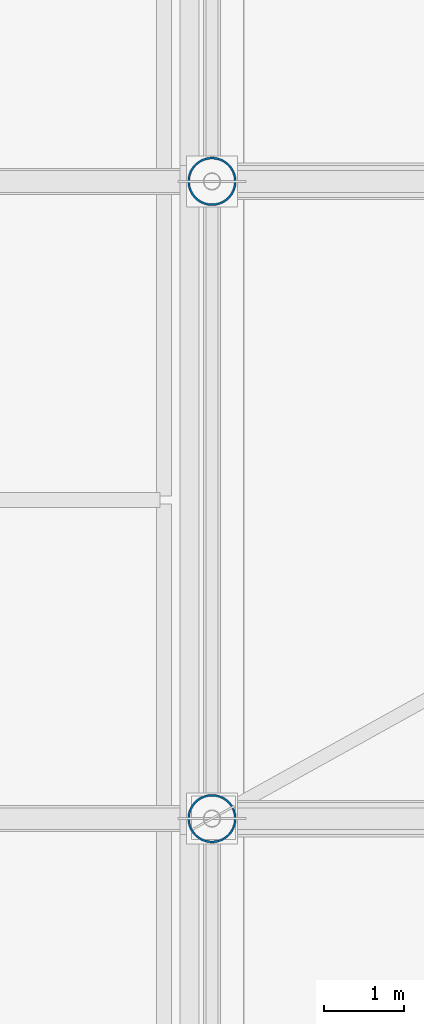
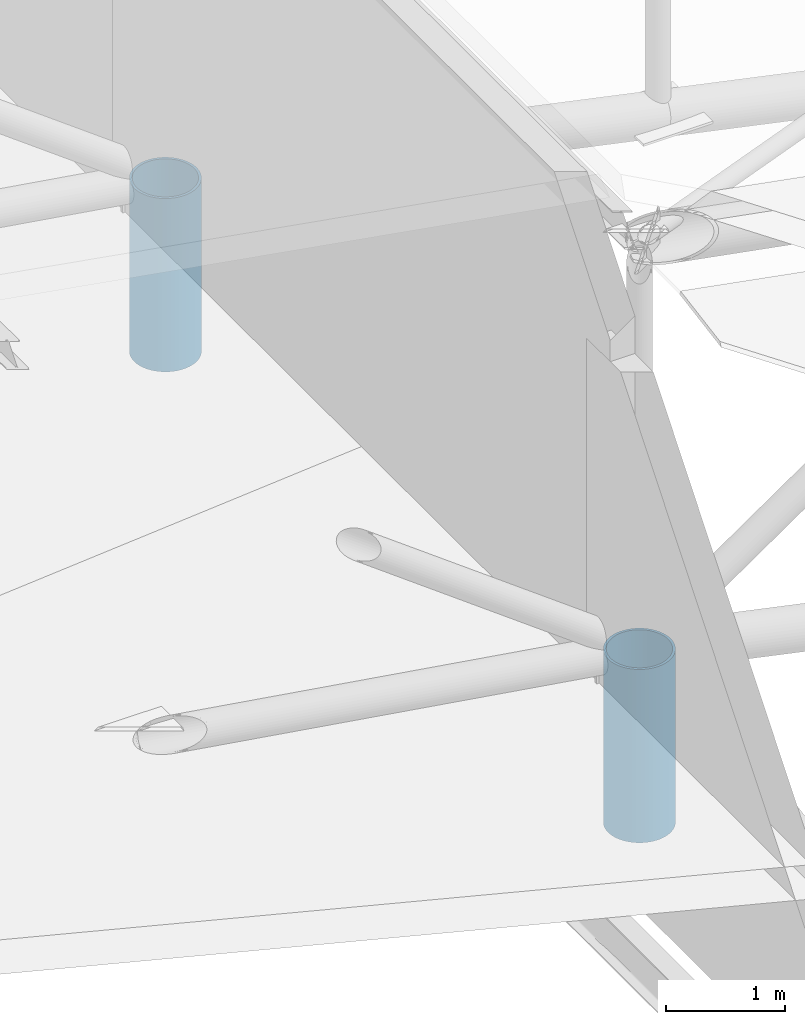
# One storey, part 2 of 146: 2 columns.
"""IFC4 building model written with IfcOpenShell, lengths in metres."""

from ifc_helpers import new_model, si_unit, direction, frame, origin, origin_2d, place, context, subcontext, project, spatial, hollow_circle, extrude, material, material_profile, profile_set, type_object, element, save


model = new_model("IFC4")

# Units and contexts
model_context = context("Model", 3, precision=1e-05, world=origin(), true_north=direction((0.0, 1.0)))
body_context = subcontext(model_context, "Body", "Model", "MODEL_VIEW")
ifc_project = project(units=[si_unit("LENGTHUNIT", "METRE"), si_unit("AREAUNIT", "SQUARE_METRE"), si_unit("VOLUMEUNIT", "CUBIC_METRE"), si_unit("PLANEANGLEUNIT", "RADIAN"), si_unit("MASSUNIT", "GRAM", prefix="KILO")], contexts=[model_context])

# Site, building, storey
site_placement = place(None, origin())
site = spatial("IfcSite", under=ifc_project, at=site_placement, CompositionType="ELEMENT")
building_placement = place(site_placement, origin())
building = spatial("IfcBuilding", under=site, at=building_placement, Name="Candeia Ridge Stadium", CompositionType="ELEMENT")
storey_placement = place(building_placement, frame((0.0, 0.0, 31.800048828125)))
storey = spatial("IfcBuildingStorey", under=building, at=storey_placement, Name="RF", CompositionType="ELEMENT", Elevation=31.800048828125)

# Columns
ifc_material = material(Name="Steel ASTM A572 Grade 50", Category="steel")
ifc_material_profile = material_profile(ifc_material, hollow_circle(Radius=0.304931640625, WallThickness=0.02490234375, at=origin_2d()), Name="CHS610x25", Category="steel")
ifc_profile_set = profile_set([ifc_material_profile], Name="Steel ASTM A572 Grade 50")
column_type = type_object("IfcColumnType", Name="Roof Mast Column CHS610x25", PredefinedType="PILASTER", material=ifc_profile_set)
for number, where, z_axis, x_axis, name in (
    (1, (19.0, 87.0, 0.0), (0.0, 0.0, 1.0), (1.0, 0.0, 0.0), "Roof truss steel mast column BC-OU-12 RF"),
    (2, (19.0, 79.0, 0.0), (0.0, 0.0, 1.0), (1.0, 0.0, 0.0), "Roof truss steel mast column BC-OU-13 RF"),
):
    element("IfcColumn", number, at=place(storey_placement, frame(where, z_axis=z_axis, x_axis=x_axis)), inside=storey, type_object=column_type, Name=name, PredefinedType="PILASTER", context=body_context, shape_type="SweptSolid", body=[
        extrude(hollow_circle(Radius=0.304931640625, WallThickness=0.02490234375, at=origin_2d()), origin(), (0.0, 0.0, 1.0), 1.78564453125),
    ])

save(model, "model.ifc")
